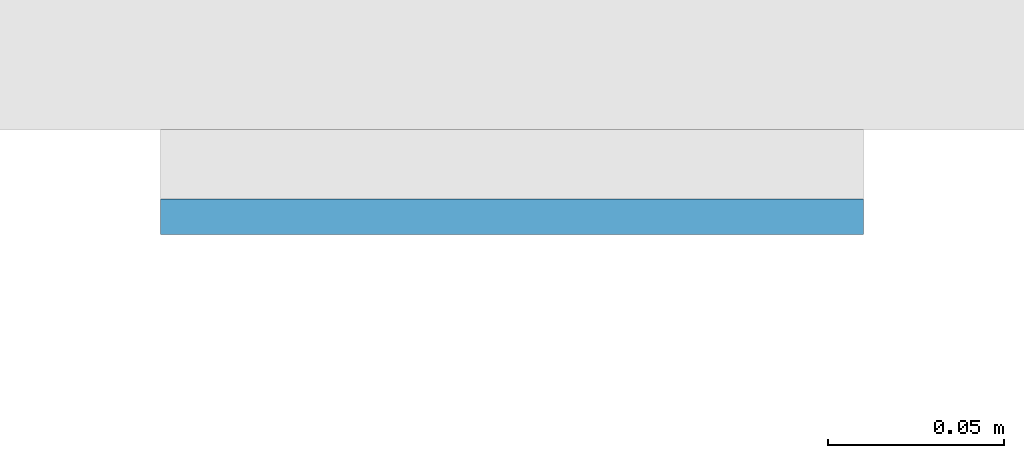
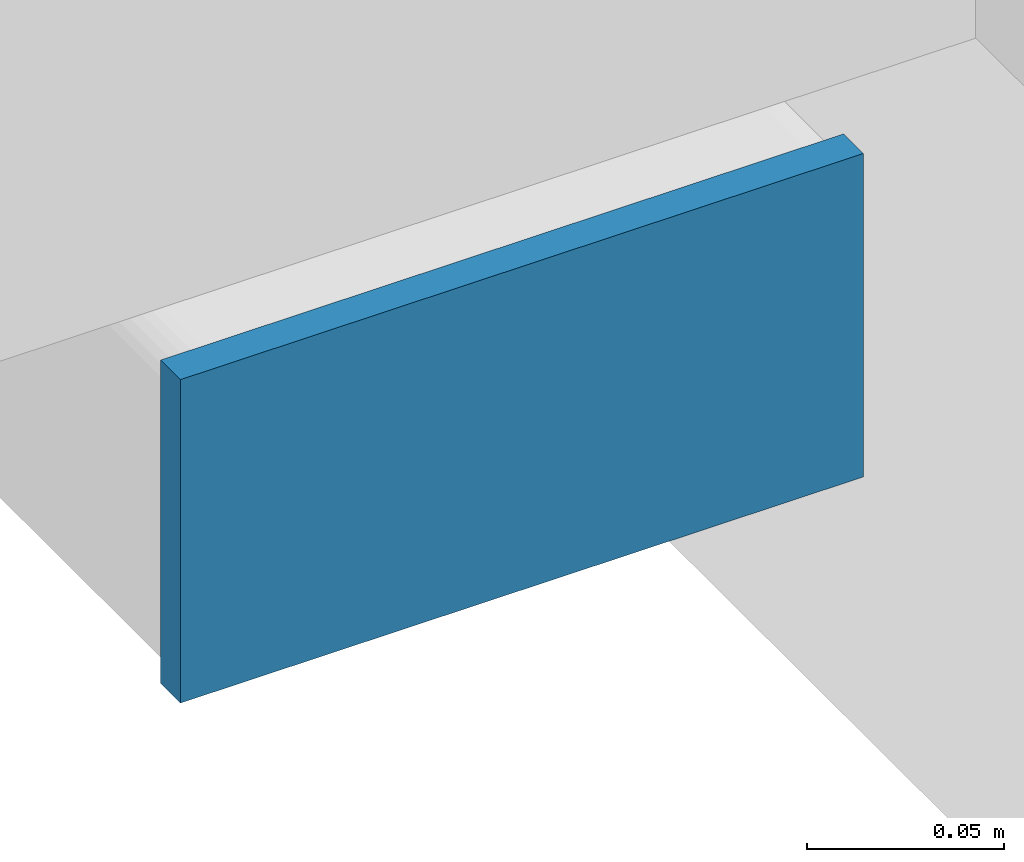
# One storey, part 8 of 20: 1 plate.
"""IFC4 building model written with IfcOpenShell, lengths in metres."""

from ifc_helpers import new_model, si_unit, direction, frame, origin, origin_2d, place, context, subcontext, project, spatial, rectangle, extrude, material, layer, layer_set, type_object, element, save


model = new_model("IFC4")

# Units and contexts
model_context = context("Model", 3, precision=1e-05, world=origin(), true_north=direction((0.0, 1.0)))
body_context = subcontext(model_context, "Body", "Model", "MODEL_VIEW")
ifc_project = project(units=[si_unit("LENGTHUNIT", "METRE"), si_unit("AREAUNIT", "SQUARE_METRE"), si_unit("VOLUMEUNIT", "CUBIC_METRE"), si_unit("PLANEANGLEUNIT", "RADIAN"), si_unit("MASSUNIT", "GRAM", prefix="KILO")], contexts=[model_context])

# Site, building, storey
site_placement = place(None, origin())
site = spatial("IfcSite", under=ifc_project, at=site_placement, CompositionType="ELEMENT")
building_placement = place(site_placement, origin())
building = spatial("IfcBuilding", under=site, at=building_placement, Name="Cleftline Residences", CompositionType="ELEMENT")
storey_placement = place(building_placement, frame((0.0, 0.0, 143.0)))
storey = spatial("IfcBuildingStorey", under=building, at=storey_placement, Name="L37", CompositionType="ELEMENT", Elevation=143.0)

# Plate
ifc_material = material(Name="Steel S355, hot-dip galvanised", Category="steel")
ifc_layer = layer(ifc_material, 0.010009765625)
ifc_layer_set = layer_set([ifc_layer], Name="BAGUETTE CARRIER END PLATE 200X100X10")
plate_type = type_object("IfcPlateType", Name="BAGUETTE CARRIER END PLATE 200X100X10", PredefinedType="USERDEFINED", material=ifc_layer_set)
plate_placement = place(storey_placement, frame((-0.85009765625, 3.695068359375, -0.10009765625), z_axis=(0.0, 0.0, 1.0), x_axis=(-1.0, 0.0, 0.0)))
element("IfcPlate", 1, at=plate_placement, inside=storey, type_object=plate_type, Name="Baguette carrier end plate", ObjectType="BAGUETTE CARRIER END PLATE", PredefinedType="USERDEFINED", context=body_context, shape_type="SweptSolid", body=[
    extrude(rectangle(XDim=0.199951171875, YDim=0.010009765625, at=origin_2d()), origin(), (0.0, 0.0, 1.0), 0.10009765625),
])

save(model, "model.ifc")
